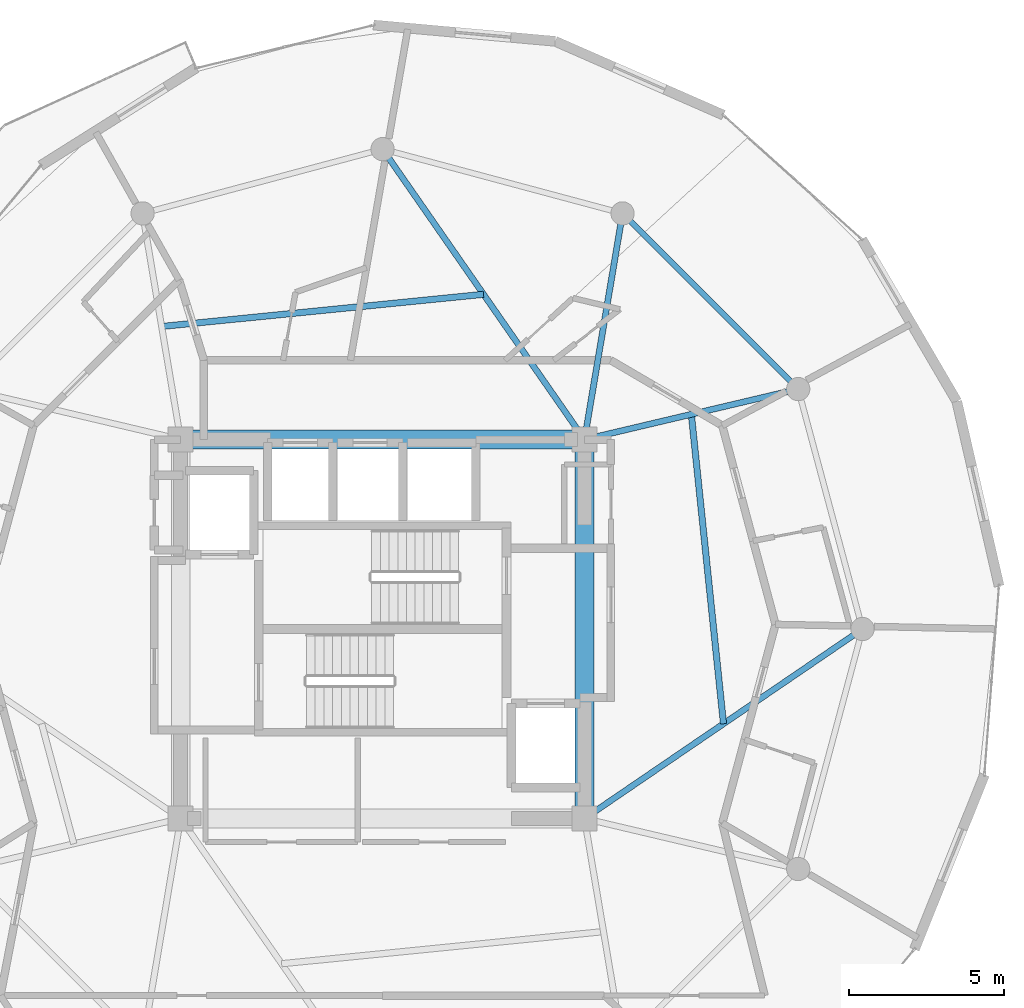
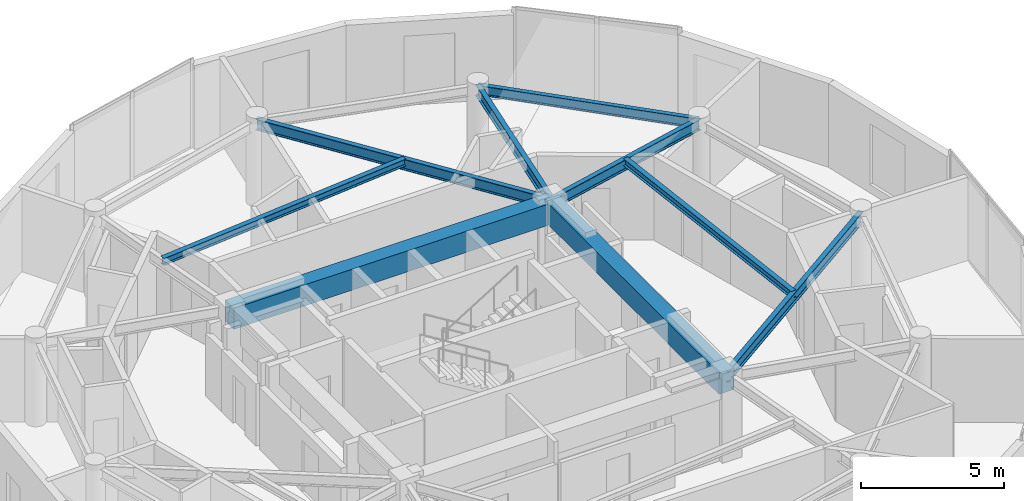
# One storey, part 7 of 19: 9 beams.
"""IFC4 building model written with IfcOpenShell, lengths in metres."""

from ifc_helpers import new_model, si_unit, direction, frame, origin, origin_2d, place, context, subcontext, project, spatial, rectangle, i_section, extrude, material, material_profile, profile_set, type_object, element, save


model = new_model("IFC4")

# Units and contexts
model_context = context("Model", 3, precision=1e-05, world=origin(), true_north=direction((0.0, 1.0)))
body_context = subcontext(model_context, "Body", "Model", "MODEL_VIEW")
ifc_project = project(units=[si_unit("LENGTHUNIT", "METRE"), si_unit("AREAUNIT", "SQUARE_METRE"), si_unit("VOLUMEUNIT", "CUBIC_METRE"), si_unit("PLANEANGLEUNIT", "RADIAN"), si_unit("MASSUNIT", "GRAM", prefix="KILO")], contexts=[model_context])

# Site, building, storey
site_placement = place(None, origin())
site = spatial("IfcSite", under=ifc_project, at=site_placement, CompositionType="ELEMENT")
building_placement = place(site_placement, origin())
building = spatial("IfcBuilding", under=site, at=building_placement, Name="Solvirekh Grand Hotel", CompositionType="ELEMENT")
storey_placement = place(building_placement, frame((0.0, 0.0, 266.800048828125)))
storey = spatial("IfcBuildingStorey", under=building, at=storey_placement, Name="L69", CompositionType="ELEMENT", Elevation=266.800048828125)

# Beams
ifc_material_1 = material(Name="Concrete C50/60", Category="concrete")
ifc_material_profile_1 = material_profile(ifc_material_1, rectangle(XDim=0.60009765625, YDim=0.89990234375, at=origin_2d()), Name="RC BEAM 600X900")
ifc_profile_set_1 = profile_set([ifc_material_profile_1], Name="Concrete C50/60")
beam_type_1 = type_object("IfcBeamType", Name="Beam_Core_RC900", PredefinedType="BEAM", material=ifc_profile_set_1)
beam_1_placement = place(storey_placement, frame((6.5, -6.10009765625, 3.119873046875), z_axis=(0.0, 1.0, 0.0), x_axis=(-1.0, 0.0, 0.0)))
element("IfcBeam", 1, at=beam_1_placement, inside=storey, type_object=beam_type_1, Name="L69 core coupling ring beam 2", PredefinedType="BEAM", context=body_context, shape_type="SweptSolid", body=[
    extrude(rectangle(XDim=0.60009765625, YDim=0.89990234375, at=origin_2d()), origin(), (0.0, 0.0, 1.0), 12.2001953125),
])
beam_2_placement = place(storey_placement, frame((6.5, 6.10009765625, 3.119873046875), z_axis=(-1.0, 0.0, 0.0), x_axis=(0.0, -1.0, 0.0)))
element("IfcBeam", 2, at=beam_2_placement, inside=storey, type_object=beam_type_1, Name="L69 core coupling ring beam 3", PredefinedType="BEAM", context=body_context, shape_type="SweptSolid", body=[
    extrude(rectangle(XDim=0.60009765625, YDim=0.89990234375, at=origin_2d()), origin(), (0.0, 0.0, 1.0), 13.0),
])
ifc_material_2 = material(Name="Steel S355", Category="steel")
ifc_material_profile_2 = material_profile(ifc_material_2, i_section(OverallWidth=0.194091796875, OverallDepth=0.468994140625, WebThickness=0.010986328125, FlangeThickness=0.01904296875, FilletRadius=0.012939453125, at=origin_2d()), Name="W460X106")
ifc_profile_set_2 = profile_set([ifc_material_profile_2], Name="Steel S355")
beam_type_2 = type_object("IfcBeamType", Name="Beam_Radial_W460H", PredefinedType="BEAM", material=ifc_profile_set_2)
beam_3_placement = place(storey_placement, frame((6.5, -6.10009765625, 3.3349609375), z_axis=(0.826319370306, 0.563201827285, 0.0), x_axis=(-0.563201827285, 0.826319370306, 0.0)))
element("IfcBeam", 3, at=beam_3_placement, inside=storey, type_object=beam_type_2, Name="L69 radial floor beam R01", PredefinedType="BEAM", context=body_context, shape_type="SweptSolid", body=[
    extrude(i_section(OverallWidth=0.194091796875, OverallDepth=0.468994140625, WebThickness=0.010986328125, FlangeThickness=0.01904296875, FilletRadius=0.012939453125, at=origin_2d()), origin(), (0.0, 0.0, 1.0), 10.8310546875),
])
beam_4_placement = place(storey_placement, frame((6.5, 6.10009765625, 3.3349609375), z_axis=(0.973221147544, 0.229870828888, 0.0), x_axis=(-0.229870828888, 0.973221147544, 0.0)))
element("IfcBeam", 4, at=beam_4_placement, inside=storey, type_object=beam_type_2, Name="L69 radial floor beam R02", PredefinedType="BEAM", context=body_context, shape_type="SweptSolid", body=[
    extrude(i_section(OverallWidth=0.194091796875, OverallDepth=0.468994140625, WebThickness=0.010986328125, FlangeThickness=0.01904296875, FilletRadius=0.012939453125, at=origin_2d()), origin(), (0.0, 0.0, 1.0), 7.069091796875),
])
beam_5_placement = place(storey_placement, frame((6.5, 6.10009765625, 3.3349609375), z_axis=(0.165954049106, 0.986133486697, 0.0), x_axis=(-0.986133486697, 0.165954049106, 0.0)))
element("IfcBeam", 5, at=beam_5_placement, inside=storey, type_object=beam_type_2, Name="L69 radial floor beam R03", PredefinedType="BEAM", context=body_context, shape_type="SweptSolid", body=[
    extrude(i_section(OverallWidth=0.194091796875, OverallDepth=0.468994140625, WebThickness=0.010986328125, FlangeThickness=0.01904296875, FilletRadius=0.012939453125, at=origin_2d()), origin(), (0.0, 0.0, 1.0), 7.382080078125),
])
beam_6_placement = place(storey_placement, frame((6.5, 6.10009765625, 3.3349609375), z_axis=(-0.570813192472, 0.821079959139, 0.0), x_axis=(-0.821079959139, -0.570813192472, 0.0)))
element("IfcBeam", 6, at=beam_6_placement, inside=storey, type_object=beam_type_2, Name="L69 radial floor beam R04", PredefinedType="BEAM", context=body_context, shape_type="SweptSolid", body=[
    extrude(i_section(OverallWidth=0.194091796875, OverallDepth=0.468994140625, WebThickness=0.010986328125, FlangeThickness=0.01904296875, FilletRadius=0.012939453125, at=origin_2d()), origin(), (0.0, 0.0, 1.0), 11.38720703125),
])
ifc_material_profile_3 = material_profile(ifc_material_2, i_section(OverallWidth=0.202880859375, OverallDepth=0.302978515625, WebThickness=0.008056640625, FlangeThickness=0.012939453125, FilletRadius=0.010009765625, at=origin_2d()), Name="W310X60")
ifc_profile_set_3 = profile_set([ifc_material_profile_3], Name="Steel S355")
beam_type_3 = type_object("IfcBeamType", Name="Joist_Floor_W310", PredefinedType="JOIST", material=ifc_profile_set_3)
beam_7_placement = place(storey_placement, frame((10.97509765625, -3.050048828125, 3.4189453125), z_axis=(-0.103352382469, 0.994644803454, 0.0), x_axis=(-0.994644803454, -0.103352382469, 0.0)))
element("IfcBeam", 7, at=beam_7_placement, inside=storey, type_object=beam_type_3, Name="L69 secondary composite floor joist 1", PredefinedType="JOIST", context=body_context, shape_type="SweptSolid", body=[
    extrude(i_section(OverallWidth=0.202880859375, OverallDepth=0.302978515625, WebThickness=0.008056640625, FlangeThickness=0.012939453125, FilletRadius=0.010009765625, at=origin_2d()), origin(), (0.0, 0.0, 1.0), 10.015869140625),
])
beam_8_placement = place(storey_placement, frame((3.25, 10.77490234375, 3.4189453125), z_axis=(-0.995049485097, -0.099380693338, 0.0), x_axis=(0.099380693338, -0.995049485097, 0.0)))
element("IfcBeam", 8, at=beam_8_placement, inside=storey, type_object=beam_type_3, Name="L69 secondary composite floor joist 4", PredefinedType="JOIST", context=body_context, shape_type="SweptSolid", body=[
    extrude(i_section(OverallWidth=0.202880859375, OverallDepth=0.302978515625, WebThickness=0.008056640625, FlangeThickness=0.012939453125, FilletRadius=0.010009765625, at=origin_2d()), origin(), (0.0, 0.0, 1.0), 10.41357421875),
])
ifc_material_profile_4 = material_profile(ifc_material_2, i_section(OverallWidth=0.180908203125, OverallDepth=0.4169921875, WebThickness=0.010009765625, FlangeThickness=0.01611328125, FilletRadius=0.011962890625, at=origin_2d()), Name="W410X85")
ifc_profile_set_4 = profile_set([ifc_material_profile_4], Name="Steel S355")
beam_type_4 = type_object("IfcBeamType", Name="Spandrel_Ring_W410", PredefinedType="SPANDREL", material=ifc_profile_set_4)
beam_9_placement = place(storey_placement, frame((13.3798828125, 7.72509765625, 3.36083984375), z_axis=(-0.707106781187, 0.707106781187, 0.0), x_axis=(-0.707106781187, -0.707106781187, 0.0)))
element("IfcBeam", 9, at=beam_9_placement, inside=storey, type_object=beam_type_4, Name="L69 perimeter spandrel beam 2", PredefinedType="SPANDREL", context=body_context, shape_type="SweptSolid", body=[
    extrude(i_section(OverallWidth=0.180908203125, OverallDepth=0.4169921875, WebThickness=0.010009765625, FlangeThickness=0.01611328125, FilletRadius=0.011962890625, at=origin_2d()), origin(), (0.0, 0.0, 1.0), 7.9970703125),
])

save(model, "model.ifc")
